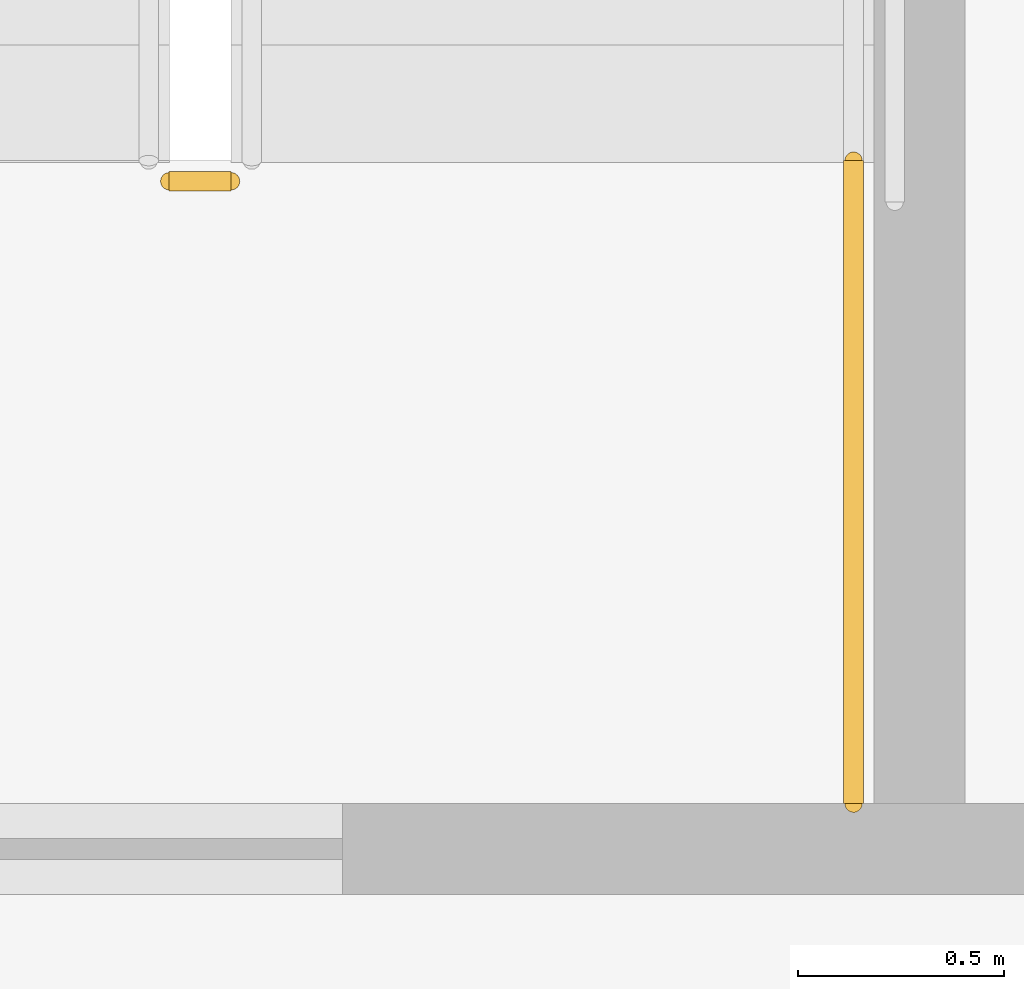
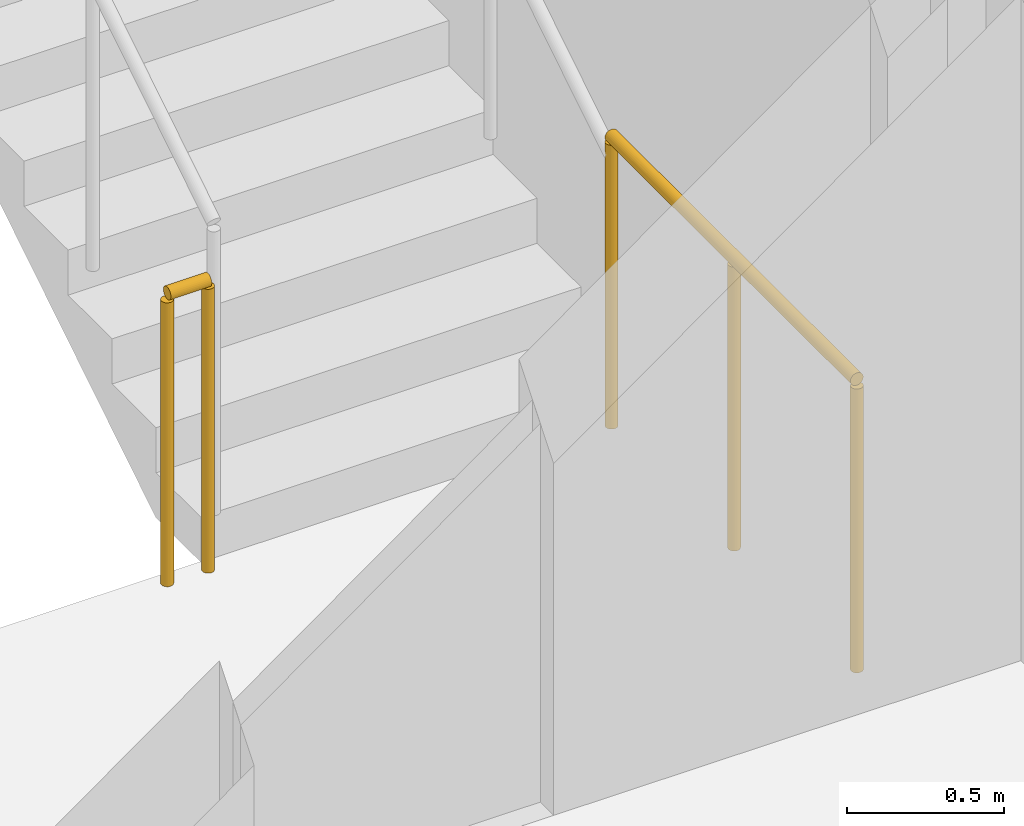
# One storey, part 12 of 15: 2 railings.
"""IFC4 building model written with IfcOpenShell, lengths in metres."""

import ifcopenshell
import ifcopenshell.guid

model = None  # the IFC model being written
_history = None  # IfcOwnerHistory: only IFC2X3 demands one
_inside = {}  # id of a spatial element -> (the spatial element, [elements in it])
_under = {}  # id of a project, library or spatial element -> (it, [spatial elements below it])
_declared = {}  # id of a project -> (the project, [libraries it declares])
_typed = {}  # id of a type object -> (the type object, [elements of that type])
_made_of = {}  # id of a material, layer set ... -> (it, [elements and type objects made of it])


def new_model(schema):
    """Start an empty IFC model of exactly this schema.

    Asked for "IFC4X3", IfcOpenShell would pick the latest addendum, in which some entities
    have other attributes; the version numbers below select the first issue.
    IFC2X3 requires an IfcOwnerHistory on every rooted entity: one is made here for all.
    """
    global model, _history
    if schema == "IFC4X3":
        model = ifcopenshell.file(schema_version=(4, 3, 0, 0))
    else:
        model = ifcopenshell.file(schema=schema)
    _inside.clear()
    _under.clear()
    _declared.clear()
    _typed.clear()
    _made_of.clear()
    _history = None
    if model.schema == "IFC2X3":
        org = make("IfcOrganization", Name="unknown")
        user = make(
            "IfcPersonAndOrganization",
            ThePerson=make("IfcPerson", FamilyName="unknown"),
            TheOrganization=org,
        )
        app = make(
            "IfcApplication",
            ApplicationDeveloper=org,
            Version="unknown",
            ApplicationFullName="unknown",
            ApplicationIdentifier="unknown",
        )
        _history = make(
            "IfcOwnerHistory",
            OwningUser=user,
            OwningApplication=app,
            ChangeAction="ADDED",
            CreationDate=0,
        )
    return model


def make(cls, **values):
    """One entity of the class cls with the attributes given. An attribute that is None is left unset."""
    return model.create_entity(
        cls, **{name: value for name, value in values.items() if value is not None}
    )


def rooted(cls, **values):
    """An entity with a GlobalId (a new one), such as an element, a storey or a relation."""
    return make(cls, GlobalId=ifcopenshell.guid.new(), OwnerHistory=_history, **values)


def si_unit(unit_type, name, prefix=None):
    """IfcSIUnit, for example si_unit("LENGTHUNIT", "METRE", prefix="MILLI")."""
    return make("IfcSIUnit", UnitType=unit_type, Prefix=prefix, Name=name)


def assignment(units):
    """IfcUnitAssignment: the units of a project."""
    return None if units is None else make("IfcUnitAssignment", Units=units)


def point(xyz):
    """IfcCartesianPoint."""
    return None if xyz is None else make("IfcCartesianPoint", Coordinates=xyz)


def direction(xyz):
    """IfcDirection."""
    return None if xyz is None else make("IfcDirection", DirectionRatios=xyz)


def frame(location, z_axis=None, x_axis=None):
    """IfcAxis2Placement3D, a coordinate frame: its origin and axes. An axis left out is left unset."""
    return make(
        "IfcAxis2Placement3D",
        Location=point(location),
        Axis=direction(z_axis),
        RefDirection=direction(x_axis),
    )


def frame_2d(location, x_axis=None):
    """IfcAxis2Placement2D, a coordinate frame in the plane: its origin and x axis."""
    return make(
        "IfcAxis2Placement2D", Location=point(location), RefDirection=direction(x_axis)
    )


def origin():
    """The frame at (0, 0, 0) with its axes left unset."""
    return frame((0.0, 0.0, 0.0))


def origin_2d():
    """The frame at (0, 0) in the plane with its x axis left unset."""
    return frame_2d((0.0, 0.0))


def place(relative_to, where):
    """IfcLocalPlacement: puts the frame where relative to a parent placement (None: the world)."""
    return make(
        "IfcLocalPlacement", PlacementRelTo=relative_to, RelativePlacement=where
    )


def context(
    kind, dimensions, precision=None, world=None, true_north=None, identifier=None
):
    """IfcGeometricRepresentationContext, for example the 3D "Model" context."""
    return make(
        "IfcGeometricRepresentationContext",
        ContextIdentifier=identifier,
        ContextType=kind,
        CoordinateSpaceDimension=dimensions,
        Precision=precision,
        WorldCoordinateSystem=world,
        TrueNorth=true_north,
    )


def subcontext(parent, identifier, kind, view, scale=None):
    """IfcGeometricRepresentationSubContext, for example "Body" below "Model"."""
    return make(
        "IfcGeometricRepresentationSubContext",
        ContextIdentifier=identifier,
        ContextType=kind,
        ParentContext=parent,
        TargetScale=scale,
        TargetView=view,
    )


def project(units=None, contexts=None):
    """IfcProject with its units and contexts."""
    return rooted(
        "IfcProject",
        Name="project",
        RepresentationContexts=contexts,
        UnitsInContext=assignment(units),
    )


def spatial(cls, under=None, at=None, **own):
    """A site, building, storey or space (cls), placed at a placement, below another one or the project."""
    s = rooted(cls, ObjectPlacement=at, **own)
    if under is not None:
        _under.setdefault(under.id(), (under, []))[1].append(s)
    return s


def profile(cls, at=None, kind="AREA", **sizes):
    """A parametric profile (cls). Its sizes go by their IFC names, for example OverallWidth=200.0."""
    return make(cls, ProfileType=kind, Position=at, **sizes)


def circle(**sizes):
    """IfcCircleProfileDef."""
    return profile("IfcCircleProfileDef", **sizes)


def extrude(swept, where, along, depth):
    """IfcExtrudedAreaSolid: the profile swept, set in the frame where, extruded along a direction by depth."""
    return make(
        "IfcExtrudedAreaSolid",
        SweptArea=swept,
        Position=where,
        ExtrudedDirection=direction(along),
        Depth=depth,
    )


def shape(context_of_items, identifier, shape_type, items):
    """IfcShapeRepresentation: the items that make up one representation, for example the "Body"."""
    return make(
        "IfcShapeRepresentation",
        ContextOfItems=context_of_items,
        RepresentationIdentifier=identifier,
        RepresentationType=shape_type,
        Items=items,
    )


def material(Name=None, Category=None):
    """IfcMaterial."""
    return make("IfcMaterial", Name=Name, Category=Category)


def made_of(thing, what):
    """Note that an element or type object is made of a material, layer set ...; save() writes the relation."""
    if what is not None:
        _made_of.setdefault(what.id(), (what, []))[1].append(thing)
    return thing


def type_object(cls, material=None, **own):
    """A type object (cls), such as IfcWallType, which elements share."""
    return made_of(rooted(cls, **own), material)


def element(
    cls,
    number,
    at=None,
    inside=None,
    cuts=None,
    type_object=None,
    material=None,
    context=None,
    identifier="Body",
    shape_type=None,
    held_by="IfcProductDefinitionShape",
    body=None,
    shapes=None,
    **own,
):
    """One element of the class cls, such as IfcWall. Its Tag is "e" and its number.

    at: its placement. inside: the storey or other place that contains it. cuts: it is an
    opening in that element (IfcRelVoidsElement). A single representation is given by context,
    identifier, shape_type and body (its items); several are given by shapes. held_by: the class
    of the entity that holds the representations. save() writes the other relations.
    """
    e = rooted(cls, Tag="e%d" % number, ObjectPlacement=at, **own)
    if body is not None:
        shapes = [shape(context, identifier, shape_type, body)]
    if shapes is not None:
        e.Representation = make(held_by, Representations=shapes)
    if inside is not None:
        _inside.setdefault(inside.id(), (inside, []))[1].append(e)
    if cuts is not None:
        rooted(
            "IfcRelVoidsElement", RelatingBuildingElement=cuts, RelatedOpeningElement=e
        )
    if type_object is not None:
        _typed.setdefault(type_object.id(), (type_object, []))[1].append(e)
    return made_of(e, material)


def aggregate(whole, parts):
    """IfcRelAggregates: a whole, such as a stair, and the parts it consists of."""
    return rooted("IfcRelAggregates", RelatingObject=whole, RelatedObjects=parts)


def save(model, path):
    """Write the relations noted so far, then the file.

    IfcRelAggregates (storeys below a building ...), IfcRelContainedInSpatialStructure (elements
    in a storey), IfcRelDefinesByType, IfcRelAssociatesMaterial and IfcRelDeclares: one each for
    every whole, place, type object, material and project.
    """
    for whole, parts in _under.values():
        aggregate(whole, parts)
    for where, things in _inside.values():
        rooted(
            "IfcRelContainedInSpatialStructure",
            RelatedElements=things,
            RelatingStructure=where,
        )
    for kind, things in _typed.values():
        rooted("IfcRelDefinesByType", RelatedObjects=things, RelatingType=kind)
    for what, things in _made_of.values():
        rooted("IfcRelAssociatesMaterial", RelatedObjects=things, RelatingMaterial=what)
    for by, libraries in _declared.values():
        rooted("IfcRelDeclares", RelatingContext=by, RelatedDefinitions=libraries)
    model.write(path)


model = new_model("IFC4")

# Units and contexts
model_context = context("Model", 3, precision=1e-05, world=origin(), true_north=direction((0.0, 1.0)))
body_context = subcontext(model_context, "Body", "Model", "MODEL_VIEW")
ifc_project = project(units=[si_unit("LENGTHUNIT", "METRE"), si_unit("AREAUNIT", "SQUARE_METRE"), si_unit("VOLUMEUNIT", "CUBIC_METRE"), si_unit("PLANEANGLEUNIT", "RADIAN"), si_unit("MASSUNIT", "GRAM", prefix="KILO")], contexts=[model_context])

# Site, building, storey
site_placement = place(None, origin())
site = spatial("IfcSite", under=ifc_project, at=site_placement, CompositionType="ELEMENT")
building_placement = place(site_placement, origin())
building = spatial("IfcBuilding", under=site, at=building_placement, Name="Khairoan Windgate Tower", CompositionType="ELEMENT")
storey_placement = place(building_placement, frame((0.0, 0.0, 118.39990234375)))
storey = spatial("IfcBuildingStorey", under=building, at=storey_placement, Name="L27", CompositionType="ELEMENT", Elevation=118.39990234375)

# Railings
ifc_material = material(Name="Steel S355", Category="steel")
railing_type = type_object("IfcRailingType", Name="Stairwell Safety Guardrail SGR-1150", PredefinedType="GUARDRAIL", material=ifc_material)
railing_1_placement = place(storey_placement, frame((-17.7099609375, 2.909912109375, 0.0)))
element("IfcRailing", 1, at=railing_1_placement, inside=storey, type_object=railing_type, Name="L27 ST2 stair guard 7", PredefinedType="GUARDRAIL", context=body_context, shape_type="SweptSolid", body=[
    extrude(circle(Radius=0.02392578125, at=origin_2d()), frame((0.0, 0.0, 1.1259765625), z_axis=(-1.0, 0.0, 0.0), x_axis=(0.0, -1.0, 0.0)), (0.0, 0.0, 1.0), 0.150146484375),
    extrude(circle(Radius=0.02099609375, at=origin_2d()), origin(), (0.0, 0.0, 1.0), 1.101806640625),
    extrude(circle(Radius=0.02099609375, at=origin_2d()), frame((-0.150146484375, 0.0, 0.0)), (0.0, 0.0, 1.0), 1.101806640625),
])
railing_2_placement = place(storey_placement, frame((-16.199951171875, 1.39990234375, 0.0)))
element("IfcRailing", 2, at=railing_2_placement, inside=storey, type_object=railing_type, Name="L27 ST2 stair guard 8", PredefinedType="GUARDRAIL", context=body_context, shape_type="SweptSolid", body=[
    extrude(circle(Radius=0.02392578125, at=origin_2d()), frame((0.0, 0.0, 1.1259765625), z_axis=(0.0, 1.0, 0.0), x_axis=(-1.0, 0.0, 0.0)), (0.0, 0.0, 1.0), 1.56005859375),
    extrude(circle(Radius=0.02099609375, at=origin_2d()), origin(), (0.0, 0.0, 1.0), 1.101806640625),
    extrude(circle(Radius=0.02099609375, at=origin_2d()), frame((0.0, 0.780029296875, 0.0)), (0.0, 0.0, 1.0), 1.101806640625),
    extrude(circle(Radius=0.02099609375, at=origin_2d()), frame((0.0, 1.56005859375, 0.0)), (0.0, 0.0, 1.0), 1.101806640625),
])

save(model, "model.ifc")
